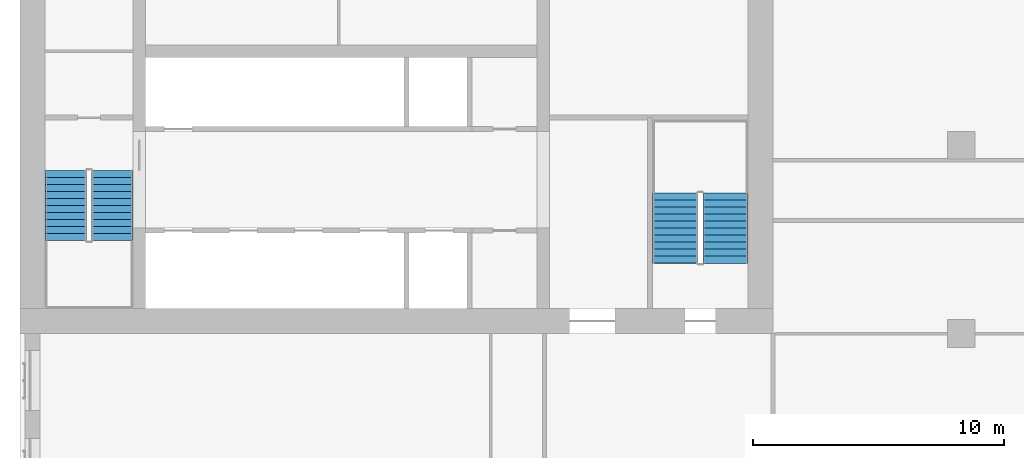
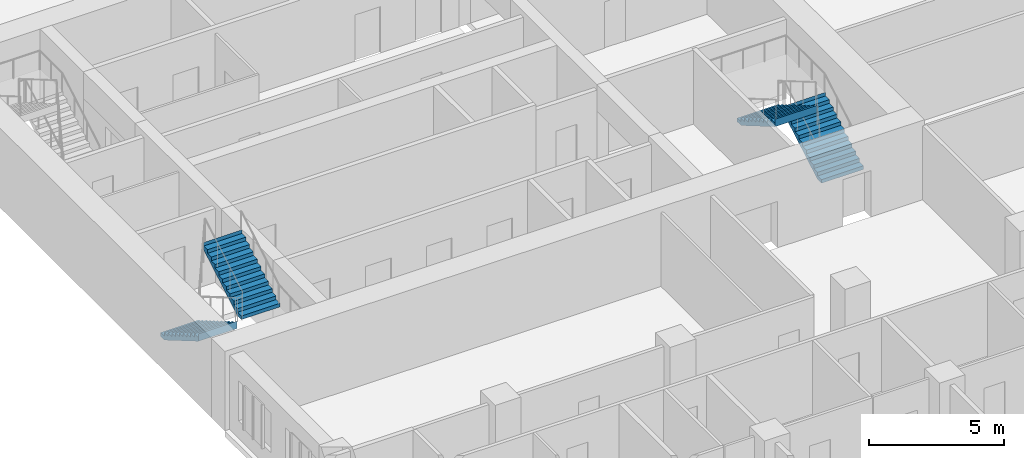
# One storey, part 12 of 14: 4 stair flights, 2 elements without a shape of their own.
"""IFC4 building model written with IfcOpenShell, lengths in metres."""

from ifc_helpers import new_model, si_unit, direction, frame, origin, place, context, subcontext, project, spatial, polyline, outline, extrude, material, type_object, element, aggregate, save


model = new_model("IFC4")

# Units and contexts
model_context = context("Model", 3, precision=1e-05, world=origin(), true_north=direction((0.0, 1.0)))
body_context = subcontext(model_context, "Body", "Model", "MODEL_VIEW")
ifc_project = project(units=[si_unit("LENGTHUNIT", "METRE"), si_unit("AREAUNIT", "SQUARE_METRE"), si_unit("VOLUMEUNIT", "CUBIC_METRE"), si_unit("PLANEANGLEUNIT", "RADIAN"), si_unit("MASSUNIT", "GRAM", prefix="KILO")], contexts=[model_context])

# Site, building, storey
site_placement = place(None, origin())
site = spatial("IfcSite", under=ifc_project, at=site_placement, CompositionType="ELEMENT")
building_placement = place(site_placement, origin())
building = spatial("IfcBuilding", under=site, at=building_placement, Name="Tamorin Gate", CompositionType="ELEMENT")
storey_placement = place(building_placement, frame((0.0, 0.0, 100.699951171875)))
storey = spatial("IfcBuildingStorey", under=building, at=storey_placement, Name="L24", CompositionType="ELEMENT", Elevation=100.699951171875)

# Stair, stair flights
ifc_material = material(Name="Concrete C40/50", Category="concrete")
stair_type = type_object("IfcStairType", Name="Exit stair", PredefinedType="HALF_TURN_STAIR", material=ifc_material)
stair_1_placement = place(storey_placement, origin())
stair_1 = element("IfcStair", 1, at=stair_1_placement, inside=storey, type_object=stair_type, Name="L24 stair ST1", PredefinedType="HALF_TURN_STAIR")
stair_flight_type = type_object("IfcStairFlightType", Name="Exit stair flight", PredefinedType="STRAIGHT", material=ifc_material)
stair_flight_1_placement = place(storey_placement, frame((31.824951171875, 66.5, 0.0), z_axis=(0.0, 0.0, 1.0), x_axis=(0.0, -1.0, 0.0)))
stair_flight_1 = element("IfcStairFlight", 2, at=stair_flight_1_placement, type_object=stair_flight_type, Name="ST1 flight 1", NumberOfRisers=11, NumberOfTreads=10, PredefinedType="STRAIGHT", RiserHeight=0.163636364, TreadLength=0.28, context=body_context, shape_type="SweptSolid", body=[
    extrude(outline(polyline([(-0.00048828125, 0.0), (-0.00048828125, 0.001708984375), (-0.00048828125, 0.003173828125), (-0.00048828125, 0.0048828125), (-0.00048828125, 0.006591796875), (-0.00048828125, 0.008056640625), (-0.00048828125, 0.009765625), (-0.00048828125, 0.01123046875), (-0.00048828125, 0.012939453125), (-0.00048828125, 0.0146484375), (-0.00048828125, 0.01611328125), (-0.00048828125, 0.017822265625), (-0.00048828125, 0.01953125), (-0.00048828125, 0.02099609375), (-0.00048828125, 0.022705078125), (-0.00048828125, 0.0244140625), (-0.00048828125, 0.02587890625), (-0.00048828125, 0.027587890625), (-0.00048828125, 0.029052734375), (-0.00048828125, 0.03076171875), (-0.00048828125, 0.032470703125), (-0.00048828125, 0.033935546875), (-0.00048828125, 0.03564453125), (-0.00048828125, 0.037353515625), (-0.00048828125, 0.038818359375), (-0.00048828125, 0.04052734375), (-0.00048828125, 0.042236328125), (-0.00048828125, 0.043701171875), (-0.00048828125, 0.04541015625), (-0.00048828125, 0.046875), (-0.00048828125, 0.048583984375), (-0.00048828125, 0.05029296875), (-0.00048828125, 0.0517578125), (-0.00048828125, 0.053466796875), (-0.00048828125, 0.05517578125), (-0.00048828125, 0.056640625), (-0.00048828125, 0.058349609375), (-0.00048828125, 0.06005859375), (-0.00048828125, 0.0615234375), (-0.00048828125, 0.063232421875), (-0.00048828125, 0.064697265625), (-0.00048828125, 0.06640625), (-0.00048828125, 0.068115234375), (-0.00048828125, 0.069580078125), (-0.00048828125, 0.0712890625), (-0.00048828125, 0.072998046875), (-0.00048828125, 0.074462890625), (-0.00048828125, 0.076171875), (-0.00048828125, 0.077880859375), (-0.00048828125, 0.079345703125), (-0.00048828125, 0.0810546875), (-0.00048828125, 0.08251953125), (-0.00048828125, 0.084228515625), (-0.00048828125, 0.0859375), (-0.00048828125, 0.08740234375), (-0.00048828125, 0.089111328125), (-0.00048828125, 0.0908203125), (-0.00048828125, 0.09228515625), (-0.00048828125, 0.093994140625), (-0.00048828125, 0.095703125), (-0.00048828125, 0.09716796875), (-0.00048828125, 0.098876953125), (-0.00048828125, 0.100341796875), (-0.00048828125, 0.10205078125), (-0.00048828125, 0.103759765625), (-0.00048828125, 0.105224609375), (-0.00048828125, 0.10693359375), (-0.00048828125, 0.108642578125), (-0.00048828125, 0.110107421875), (-0.00048828125, 0.11181640625), (-0.00048828125, 0.113525390625), (-0.00048828125, 0.114990234375), (-0.00048828125, 0.11669921875), (-0.00048828125, 0.1181640625), (-0.00048828125, 0.119873046875), (-0.00048828125, 0.12158203125), (-0.00048828125, 0.123046875), (-0.00048828125, 0.124755859375), (-0.00048828125, 0.12646484375), (-0.00048828125, 0.1279296875), (-0.00048828125, 0.129638671875), (-0.00048828125, 0.13134765625), (-0.00048828125, 0.1328125), (-0.00048828125, 0.134521484375), (-0.00048828125, 0.135986328125), (-0.00048828125, 0.1376953125), (-0.00048828125, 0.139404296875), (-0.00048828125, 0.140869140625), (-0.00048828125, 0.142578125), (-0.00048828125, 0.144287109375), (-0.00048828125, 0.145751953125), (-0.00048828125, 0.1474609375), (-0.00048828125, 0.149169921875), (-0.00048828125, 0.150634765625), (-0.00048828125, 0.15234375), (-0.00048828125, 0.15380859375), (-0.00048828125, 0.155517578125), (-0.00048828125, 0.1572265625), (-0.00048828125, 0.15869140625), (-0.00048828125, 0.160400390625), (-0.00048828125, 0.162109375), (-0.00048828125, 0.16357421875), (0.280029296875, 0.16357421875), (0.280029296875, 0.327392578125), (0.56005859375, 0.327392578125), (0.56005859375, 0.490966796875), (0.840087890625, 0.490966796875), (0.840087890625, 0.654541015625), (1.1201171875, 0.654541015625), (1.1201171875, 0.818115234375), (1.39990234375, 0.818115234375), (1.39990234375, 0.98193359375), (1.679931640625, 0.98193359375), (1.679931640625, 1.1455078125), (1.9599609375, 1.1455078125), (1.9599609375, 1.30908203125), (2.239990234375, 1.30908203125), (2.239990234375, 1.47265625), (2.52001953125, 1.47265625), (2.52001953125, 1.636474609375), (2.800048828125, 1.636474609375), (2.800048828125, 1.800048828125), (2.800537109375, 1.800048828125), (2.800537109375, 1.796630859375), (2.800537109375, 1.793212890625), (2.800537109375, 1.7900390625), (2.800537109375, 1.78662109375), (2.800537109375, 1.783203125), (2.800537109375, 1.780029296875), (2.800537109375, 1.776611328125), (2.800537109375, 1.773193359375), (2.800537109375, 1.77001953125), (2.800537109375, 1.7666015625), (2.800537109375, 1.76318359375), (2.800537109375, 1.760009765625), (2.800537109375, 1.756591796875), (2.800537109375, 1.753173828125), (2.800537109375, 1.75), (2.800537109375, 1.74658203125), (2.800537109375, 1.7431640625), (2.800537109375, 1.739990234375), (2.800537109375, 1.736572265625), (2.800537109375, 1.733154296875), (2.800537109375, 1.72998046875), (2.800537109375, 1.7265625), (2.800537109375, 1.72314453125), (2.800537109375, 1.719970703125), (2.800537109375, 1.716552734375), (2.800537109375, 1.713134765625), (2.800537109375, 1.7099609375), (2.800537109375, 1.70654296875), (2.800537109375, 1.703125), (2.800537109375, 1.69970703125), (2.800537109375, 1.696533203125), (2.800537109375, 1.693115234375), (2.800537109375, 1.689697265625), (2.800537109375, 1.6865234375), (2.800537109375, 1.68310546875), (2.800537109375, 1.6796875), (2.800537109375, 1.676513671875), (2.800537109375, 1.673095703125), (2.800537109375, 1.669677734375), (2.800537109375, 1.66650390625), (2.800537109375, 1.6630859375), (2.800537109375, 1.65966796875), (2.800537109375, 1.656494140625), (2.800537109375, 1.653076171875), (2.800537109375, 1.649658203125), (2.800537109375, 1.646484375), (2.800537109375, 1.64306640625), (2.800537109375, 1.6396484375), (2.800537109375, 1.636474609375), (2.800537109375, 1.633056640625), (2.800537109375, 1.629638671875), (2.800537109375, 1.62646484375), (2.800537109375, 1.623046875), (2.800537109375, 1.61962890625), (2.800537109375, 1.616455078125), (2.800537109375, 1.613037109375), (2.800537109375, 1.609619140625), (2.800537109375, 1.6064453125), (2.800537109375, 1.60302734375), (2.800537109375, 1.599609375), (2.800537109375, 1.59619140625), (2.800537109375, 1.593017578125), (2.800537109375, 1.589599609375), (2.800537109375, 1.586181640625), (2.800537109375, 1.5830078125), (2.800537109375, 1.57958984375), (2.800537109375, 1.576171875), (2.800537109375, 1.572998046875), (2.800537109375, 1.569580078125), (2.800537109375, 1.566162109375), (2.800537109375, 1.56298828125), (2.800537109375, 1.5595703125), (2.800537109375, 1.55615234375), (2.800537109375, 1.552978515625), (2.800537109375, 1.549560546875), (2.800537109375, 1.546142578125), (2.800537109375, 1.54296875), (2.800537109375, 1.53955078125), (2.800537109375, 1.5361328125), (2.800537109375, 1.532958984375), (2.800537109375, 1.529541015625), (2.800537109375, 1.526123046875), (2.800537109375, 1.52294921875), (2.800537109375, 1.51953125), (2.800537109375, 1.51611328125), (2.800537109375, 1.512939453125), (2.800537109375, 1.509521484375), (2.800537109375, 1.506103515625), (2.800537109375, 1.5029296875), (2.800537109375, 1.49951171875), (2.800537109375, 1.49609375), (2.800537109375, 1.49267578125), (2.800537109375, 1.489501953125), (2.800537109375, 1.486083984375), (2.800537109375, 1.482666015625), (2.800537109375, 1.4794921875), (2.800537109375, 1.47607421875), (2.800537109375, 1.47265625), (2.800537109375, 1.469482421875), (2.800537109375, 1.466064453125), (2.800537109375, 1.462646484375), (2.800048828125, 1.462646484375), (0.297119140625, 0.0), (-0.00048828125, 0.0)])), frame((0.0, 0.824951171875, 0.0), z_axis=(0.0, -1.0, 0.0), x_axis=(1.0, 0.0, 0.0)), (0.0, 0.0, 1.0), 1.64990234375),
])
stair_flight_2_placement = place(storey_placement, frame((33.675048828125, 63.699951171875, 1.800048828125), z_axis=(0.0, 0.0, 1.0), x_axis=(0.0, 1.0, 0.0)))
stair_flight_2 = element("IfcStairFlight", 3, at=stair_flight_2_placement, type_object=stair_flight_type, Name="ST1 flight 2", NumberOfRisers=11, NumberOfTreads=10, PredefinedType="STRAIGHT", RiserHeight=0.163636364, TreadLength=0.28, context=body_context, shape_type="SweptSolid", body=[
    extrude(outline(polyline([(-0.00048828125, 0.0), (-0.00048828125, 0.001708984375), (-0.00048828125, 0.003173828125), (-0.00048828125, 0.0048828125), (-0.00048828125, 0.006591796875), (-0.00048828125, 0.008056640625), (-0.00048828125, 0.009765625), (-0.00048828125, 0.01123046875), (-0.00048828125, 0.012939453125), (-0.00048828125, 0.0146484375), (-0.00048828125, 0.01611328125), (-0.00048828125, 0.017822265625), (-0.00048828125, 0.01953125), (-0.00048828125, 0.02099609375), (-0.00048828125, 0.022705078125), (-0.00048828125, 0.0244140625), (-0.00048828125, 0.02587890625), (-0.00048828125, 0.027587890625), (-0.00048828125, 0.029052734375), (-0.00048828125, 0.03076171875), (-0.00048828125, 0.032470703125), (-0.00048828125, 0.033935546875), (-0.00048828125, 0.03564453125), (-0.00048828125, 0.037353515625), (-0.00048828125, 0.038818359375), (-0.00048828125, 0.04052734375), (-0.00048828125, 0.042236328125), (-0.00048828125, 0.043701171875), (-0.00048828125, 0.04541015625), (-0.00048828125, 0.046875), (-0.00048828125, 0.048583984375), (-0.00048828125, 0.05029296875), (-0.00048828125, 0.0517578125), (-0.00048828125, 0.053466796875), (-0.00048828125, 0.05517578125), (-0.00048828125, 0.056640625), (-0.00048828125, 0.058349609375), (-0.00048828125, 0.06005859375), (-0.00048828125, 0.0615234375), (-0.00048828125, 0.063232421875), (-0.00048828125, 0.064697265625), (-0.00048828125, 0.06640625), (-0.00048828125, 0.068115234375), (-0.00048828125, 0.069580078125), (-0.00048828125, 0.0712890625), (-0.00048828125, 0.072998046875), (-0.00048828125, 0.074462890625), (-0.00048828125, 0.076171875), (-0.00048828125, 0.077880859375), (-0.00048828125, 0.079345703125), (-0.00048828125, 0.0810546875), (-0.00048828125, 0.08251953125), (-0.00048828125, 0.084228515625), (-0.00048828125, 0.0859375), (-0.00048828125, 0.08740234375), (-0.00048828125, 0.089111328125), (-0.00048828125, 0.0908203125), (-0.00048828125, 0.09228515625), (-0.00048828125, 0.093994140625), (-0.00048828125, 0.095703125), (-0.00048828125, 0.09716796875), (-0.00048828125, 0.098876953125), (-0.00048828125, 0.100341796875), (-0.00048828125, 0.10205078125), (-0.00048828125, 0.103759765625), (-0.00048828125, 0.105224609375), (-0.00048828125, 0.10693359375), (-0.00048828125, 0.108642578125), (-0.00048828125, 0.110107421875), (-0.00048828125, 0.11181640625), (-0.00048828125, 0.113525390625), (-0.00048828125, 0.114990234375), (-0.00048828125, 0.11669921875), (-0.00048828125, 0.1181640625), (-0.00048828125, 0.119873046875), (-0.00048828125, 0.12158203125), (-0.00048828125, 0.123046875), (-0.00048828125, 0.124755859375), (-0.00048828125, 0.12646484375), (-0.00048828125, 0.1279296875), (-0.00048828125, 0.129638671875), (-0.00048828125, 0.13134765625), (-0.00048828125, 0.1328125), (-0.00048828125, 0.134521484375), (-0.00048828125, 0.135986328125), (-0.00048828125, 0.1376953125), (-0.00048828125, 0.139404296875), (-0.00048828125, 0.140869140625), (-0.00048828125, 0.142578125), (-0.00048828125, 0.144287109375), (-0.00048828125, 0.145751953125), (-0.00048828125, 0.1474609375), (-0.00048828125, 0.149169921875), (-0.00048828125, 0.150634765625), (-0.00048828125, 0.15234375), (-0.00048828125, 0.15380859375), (-0.00048828125, 0.155517578125), (-0.00048828125, 0.1572265625), (-0.00048828125, 0.15869140625), (-0.00048828125, 0.160400390625), (-0.00048828125, 0.162109375), (-0.00048828125, 0.16357421875), (0.280029296875, 0.16357421875), (0.280029296875, 0.327392578125), (0.56005859375, 0.327392578125), (0.56005859375, 0.490966796875), (0.840087890625, 0.490966796875), (0.840087890625, 0.654541015625), (1.1201171875, 0.654541015625), (1.1201171875, 0.818115234375), (1.39990234375, 0.818115234375), (1.39990234375, 0.98193359375), (1.679931640625, 0.98193359375), (1.679931640625, 1.1455078125), (1.9599609375, 1.1455078125), (1.9599609375, 1.30908203125), (2.239990234375, 1.30908203125), (2.239990234375, 1.47265625), (2.52001953125, 1.47265625), (2.52001953125, 1.636474609375), (2.800048828125, 1.636474609375), (2.800048828125, 1.800048828125), (2.800537109375, 1.800048828125), (2.800537109375, 1.796630859375), (2.800537109375, 1.793212890625), (2.800537109375, 1.7900390625), (2.800537109375, 1.78662109375), (2.800537109375, 1.783203125), (2.800537109375, 1.780029296875), (2.800537109375, 1.776611328125), (2.800537109375, 1.773193359375), (2.800537109375, 1.77001953125), (2.800537109375, 1.7666015625), (2.800537109375, 1.76318359375), (2.800537109375, 1.760009765625), (2.800537109375, 1.756591796875), (2.800537109375, 1.753173828125), (2.800537109375, 1.75), (2.800537109375, 1.74658203125), (2.800537109375, 1.7431640625), (2.800537109375, 1.739990234375), (2.800537109375, 1.736572265625), (2.800537109375, 1.733154296875), (2.800537109375, 1.72998046875), (2.800537109375, 1.7265625), (2.800537109375, 1.72314453125), (2.800537109375, 1.719970703125), (2.800537109375, 1.716552734375), (2.800537109375, 1.713134765625), (2.800537109375, 1.7099609375), (2.800537109375, 1.70654296875), (2.800537109375, 1.703125), (2.800537109375, 1.69970703125), (2.800537109375, 1.696533203125), (2.800537109375, 1.693115234375), (2.800537109375, 1.689697265625), (2.800537109375, 1.6865234375), (2.800537109375, 1.68310546875), (2.800537109375, 1.6796875), (2.800537109375, 1.676513671875), (2.800537109375, 1.673095703125), (2.800537109375, 1.669677734375), (2.800537109375, 1.66650390625), (2.800537109375, 1.6630859375), (2.800537109375, 1.65966796875), (2.800537109375, 1.656494140625), (2.800537109375, 1.653076171875), (2.800537109375, 1.649658203125), (2.800537109375, 1.646484375), (2.800537109375, 1.64306640625), (2.800537109375, 1.6396484375), (2.800537109375, 1.636474609375), (2.800537109375, 1.633056640625), (2.800537109375, 1.629638671875), (2.800537109375, 1.62646484375), (2.800537109375, 1.623046875), (2.800537109375, 1.61962890625), (2.800537109375, 1.616455078125), (2.800537109375, 1.613037109375), (2.800537109375, 1.609619140625), (2.800537109375, 1.6064453125), (2.800537109375, 1.60302734375), (2.800537109375, 1.599609375), (2.800537109375, 1.59619140625), (2.800537109375, 1.593017578125), (2.800537109375, 1.589599609375), (2.800537109375, 1.586181640625), (2.800537109375, 1.5830078125), (2.800537109375, 1.57958984375), (2.800537109375, 1.576171875), (2.800537109375, 1.572998046875), (2.800537109375, 1.569580078125), (2.800537109375, 1.566162109375), (2.800537109375, 1.56298828125), (2.800537109375, 1.5595703125), (2.800537109375, 1.55615234375), (2.800537109375, 1.552978515625), (2.800537109375, 1.549560546875), (2.800537109375, 1.546142578125), (2.800537109375, 1.54296875), (2.800537109375, 1.53955078125), (2.800537109375, 1.5361328125), (2.800537109375, 1.532958984375), (2.800537109375, 1.529541015625), (2.800537109375, 1.526123046875), (2.800537109375, 1.52294921875), (2.800537109375, 1.51953125), (2.800537109375, 1.51611328125), (2.800537109375, 1.512939453125), (2.800537109375, 1.509521484375), (2.800537109375, 1.506103515625), (2.800537109375, 1.5029296875), (2.800537109375, 1.49951171875), (2.800537109375, 1.49609375), (2.800537109375, 1.49267578125), (2.800537109375, 1.489501953125), (2.800537109375, 1.486083984375), (2.800537109375, 1.482666015625), (2.800537109375, 1.4794921875), (2.800537109375, 1.47607421875), (2.800537109375, 1.47265625), (2.800537109375, 1.469482421875), (2.800537109375, 1.466064453125), (2.800537109375, 1.462646484375), (2.800048828125, 1.462646484375), (0.297119140625, 0.0), (-0.00048828125, 0.0)])), frame((0.0, 0.824951171875, 0.0), z_axis=(0.0, -1.0, 0.0), x_axis=(1.0, 0.0, 0.0)), (0.0, 0.0, 1.0), 1.64990234375),
])
aggregate(stair_1, [stair_flight_1, stair_flight_2])

stair_2_placement = place(storey_placement, origin())
stair_2 = element("IfcStair", 4, at=stair_2_placement, inside=storey, type_object=stair_type, Name="L24 stair ST3", PredefinedType="HALF_TURN_STAIR")
stair_flight_3_placement = place(storey_placement, frame((58.10009765625, 62.800048828125, 0.0), z_axis=(0.0, 0.0, 1.0), x_axis=(0.0, 1.0, 0.0)))
stair_flight_3 = element("IfcStairFlight", 5, at=stair_flight_3_placement, type_object=stair_flight_type, Name="ST3 flight 1", NumberOfRisers=11, NumberOfTreads=10, PredefinedType="STRAIGHT", RiserHeight=0.163636364, TreadLength=0.28, context=body_context, shape_type="SweptSolid", body=[
    extrude(outline(polyline([(-0.00048828125, 0.0), (-0.00048828125, 0.001708984375), (-0.00048828125, 0.003173828125), (-0.00048828125, 0.0048828125), (-0.00048828125, 0.006591796875), (-0.00048828125, 0.008056640625), (-0.00048828125, 0.009765625), (-0.00048828125, 0.01123046875), (-0.00048828125, 0.012939453125), (-0.00048828125, 0.0146484375), (-0.00048828125, 0.01611328125), (-0.00048828125, 0.017822265625), (-0.00048828125, 0.01953125), (-0.00048828125, 0.02099609375), (-0.00048828125, 0.022705078125), (-0.00048828125, 0.0244140625), (-0.00048828125, 0.02587890625), (-0.00048828125, 0.027587890625), (-0.00048828125, 0.029052734375), (-0.00048828125, 0.03076171875), (-0.00048828125, 0.032470703125), (-0.00048828125, 0.033935546875), (-0.00048828125, 0.03564453125), (-0.00048828125, 0.037353515625), (-0.00048828125, 0.038818359375), (-0.00048828125, 0.04052734375), (-0.00048828125, 0.042236328125), (-0.00048828125, 0.043701171875), (-0.00048828125, 0.04541015625), (-0.00048828125, 0.046875), (-0.00048828125, 0.048583984375), (-0.00048828125, 0.05029296875), (-0.00048828125, 0.0517578125), (-0.00048828125, 0.053466796875), (-0.00048828125, 0.05517578125), (-0.00048828125, 0.056640625), (-0.00048828125, 0.058349609375), (-0.00048828125, 0.06005859375), (-0.00048828125, 0.0615234375), (-0.00048828125, 0.063232421875), (-0.00048828125, 0.064697265625), (-0.00048828125, 0.06640625), (-0.00048828125, 0.068115234375), (-0.00048828125, 0.069580078125), (-0.00048828125, 0.0712890625), (-0.00048828125, 0.072998046875), (-0.00048828125, 0.074462890625), (-0.00048828125, 0.076171875), (-0.00048828125, 0.077880859375), (-0.00048828125, 0.079345703125), (-0.00048828125, 0.0810546875), (-0.00048828125, 0.08251953125), (-0.00048828125, 0.084228515625), (-0.00048828125, 0.0859375), (-0.00048828125, 0.08740234375), (-0.00048828125, 0.089111328125), (-0.00048828125, 0.0908203125), (-0.00048828125, 0.09228515625), (-0.00048828125, 0.093994140625), (-0.00048828125, 0.095703125), (-0.00048828125, 0.09716796875), (-0.00048828125, 0.098876953125), (-0.00048828125, 0.100341796875), (-0.00048828125, 0.10205078125), (-0.00048828125, 0.103759765625), (-0.00048828125, 0.105224609375), (-0.00048828125, 0.10693359375), (-0.00048828125, 0.108642578125), (-0.00048828125, 0.110107421875), (-0.00048828125, 0.11181640625), (-0.00048828125, 0.113525390625), (-0.00048828125, 0.114990234375), (-0.00048828125, 0.11669921875), (-0.00048828125, 0.1181640625), (-0.00048828125, 0.119873046875), (-0.00048828125, 0.12158203125), (-0.00048828125, 0.123046875), (-0.00048828125, 0.124755859375), (-0.00048828125, 0.12646484375), (-0.00048828125, 0.1279296875), (-0.00048828125, 0.129638671875), (-0.00048828125, 0.13134765625), (-0.00048828125, 0.1328125), (-0.00048828125, 0.134521484375), (-0.00048828125, 0.135986328125), (-0.00048828125, 0.1376953125), (-0.00048828125, 0.139404296875), (-0.00048828125, 0.140869140625), (-0.00048828125, 0.142578125), (-0.00048828125, 0.144287109375), (-0.00048828125, 0.145751953125), (-0.00048828125, 0.1474609375), (-0.00048828125, 0.149169921875), (-0.00048828125, 0.150634765625), (-0.00048828125, 0.15234375), (-0.00048828125, 0.15380859375), (-0.00048828125, 0.155517578125), (-0.00048828125, 0.1572265625), (-0.00048828125, 0.15869140625), (-0.00048828125, 0.160400390625), (-0.00048828125, 0.162109375), (-0.00048828125, 0.16357421875), (0.280029296875, 0.16357421875), (0.280029296875, 0.327392578125), (0.56005859375, 0.327392578125), (0.56005859375, 0.490966796875), (0.840087890625, 0.490966796875), (0.840087890625, 0.654541015625), (1.1201171875, 0.654541015625), (1.1201171875, 0.818115234375), (1.39990234375, 0.818115234375), (1.39990234375, 0.98193359375), (1.679931640625, 0.98193359375), (1.679931640625, 1.1455078125), (1.9599609375, 1.1455078125), (1.9599609375, 1.30908203125), (2.239990234375, 1.30908203125), (2.239990234375, 1.47265625), (2.52001953125, 1.47265625), (2.52001953125, 1.636474609375), (2.800048828125, 1.636474609375), (2.800048828125, 1.800048828125), (2.800537109375, 1.800048828125), (2.800537109375, 1.796630859375), (2.800537109375, 1.793212890625), (2.800537109375, 1.7900390625), (2.800537109375, 1.78662109375), (2.800537109375, 1.783203125), (2.800537109375, 1.780029296875), (2.800537109375, 1.776611328125), (2.800537109375, 1.773193359375), (2.800537109375, 1.77001953125), (2.800537109375, 1.7666015625), (2.800537109375, 1.76318359375), (2.800537109375, 1.760009765625), (2.800537109375, 1.756591796875), (2.800537109375, 1.753173828125), (2.800537109375, 1.75), (2.800537109375, 1.74658203125), (2.800537109375, 1.7431640625), (2.800537109375, 1.739990234375), (2.800537109375, 1.736572265625), (2.800537109375, 1.733154296875), (2.800537109375, 1.72998046875), (2.800537109375, 1.7265625), (2.800537109375, 1.72314453125), (2.800537109375, 1.719970703125), (2.800537109375, 1.716552734375), (2.800537109375, 1.713134765625), (2.800537109375, 1.7099609375), (2.800537109375, 1.70654296875), (2.800537109375, 1.703125), (2.800537109375, 1.69970703125), (2.800537109375, 1.696533203125), (2.800537109375, 1.693115234375), (2.800537109375, 1.689697265625), (2.800537109375, 1.6865234375), (2.800537109375, 1.68310546875), (2.800537109375, 1.6796875), (2.800537109375, 1.676513671875), (2.800537109375, 1.673095703125), (2.800537109375, 1.669677734375), (2.800537109375, 1.66650390625), (2.800537109375, 1.6630859375), (2.800537109375, 1.65966796875), (2.800537109375, 1.656494140625), (2.800537109375, 1.653076171875), (2.800537109375, 1.649658203125), (2.800537109375, 1.646484375), (2.800537109375, 1.64306640625), (2.800537109375, 1.6396484375), (2.800537109375, 1.636474609375), (2.800537109375, 1.633056640625), (2.800537109375, 1.629638671875), (2.800537109375, 1.62646484375), (2.800537109375, 1.623046875), (2.800537109375, 1.61962890625), (2.800537109375, 1.616455078125), (2.800537109375, 1.613037109375), (2.800537109375, 1.609619140625), (2.800537109375, 1.6064453125), (2.800537109375, 1.60302734375), (2.800537109375, 1.599609375), (2.800537109375, 1.59619140625), (2.800537109375, 1.593017578125), (2.800537109375, 1.589599609375), (2.800537109375, 1.586181640625), (2.800537109375, 1.5830078125), (2.800537109375, 1.57958984375), (2.800537109375, 1.576171875), (2.800537109375, 1.572998046875), (2.800537109375, 1.569580078125), (2.800537109375, 1.566162109375), (2.800537109375, 1.56298828125), (2.800537109375, 1.5595703125), (2.800537109375, 1.55615234375), (2.800537109375, 1.552978515625), (2.800537109375, 1.549560546875), (2.800537109375, 1.546142578125), (2.800537109375, 1.54296875), (2.800537109375, 1.53955078125), (2.800537109375, 1.5361328125), (2.800537109375, 1.532958984375), (2.800537109375, 1.529541015625), (2.800537109375, 1.526123046875), (2.800537109375, 1.52294921875), (2.800537109375, 1.51953125), (2.800537109375, 1.51611328125), (2.800537109375, 1.512939453125), (2.800537109375, 1.509521484375), (2.800537109375, 1.506103515625), (2.800537109375, 1.5029296875), (2.800537109375, 1.49951171875), (2.800537109375, 1.49609375), (2.800537109375, 1.49267578125), (2.800537109375, 1.489501953125), (2.800537109375, 1.486083984375), (2.800537109375, 1.482666015625), (2.800537109375, 1.4794921875), (2.800537109375, 1.47607421875), (2.800537109375, 1.47265625), (2.800537109375, 1.469482421875), (2.800537109375, 1.466064453125), (2.800537109375, 1.462646484375), (2.800048828125, 1.462646484375), (0.297119140625, 0.0), (-0.00048828125, 0.0)])), frame((0.0, 0.89990234375, 0.0), z_axis=(0.0, -1.0, 0.0), x_axis=(1.0, 0.0, 0.0)), (0.0, 0.0, 1.0), 1.800048828125),
])
stair_flight_4_placement = place(storey_placement, frame((56.10009765625, 65.60009765625, 1.800048828125), z_axis=(0.0, 0.0, 1.0), x_axis=(0.0, -1.0, 0.0)))
stair_flight_4 = element("IfcStairFlight", 6, at=stair_flight_4_placement, type_object=stair_flight_type, Name="ST3 flight 2", NumberOfRisers=11, NumberOfTreads=10, PredefinedType="STRAIGHT", RiserHeight=0.163636364, TreadLength=0.28, context=body_context, shape_type="SweptSolid", body=[
    extrude(outline(polyline([(-0.00048828125, 0.0), (-0.00048828125, 0.001708984375), (-0.00048828125, 0.003173828125), (-0.00048828125, 0.0048828125), (-0.00048828125, 0.006591796875), (-0.00048828125, 0.008056640625), (-0.00048828125, 0.009765625), (-0.00048828125, 0.01123046875), (-0.00048828125, 0.012939453125), (-0.00048828125, 0.0146484375), (-0.00048828125, 0.01611328125), (-0.00048828125, 0.017822265625), (-0.00048828125, 0.01953125), (-0.00048828125, 0.02099609375), (-0.00048828125, 0.022705078125), (-0.00048828125, 0.0244140625), (-0.00048828125, 0.02587890625), (-0.00048828125, 0.027587890625), (-0.00048828125, 0.029052734375), (-0.00048828125, 0.03076171875), (-0.00048828125, 0.032470703125), (-0.00048828125, 0.033935546875), (-0.00048828125, 0.03564453125), (-0.00048828125, 0.037353515625), (-0.00048828125, 0.038818359375), (-0.00048828125, 0.04052734375), (-0.00048828125, 0.042236328125), (-0.00048828125, 0.043701171875), (-0.00048828125, 0.04541015625), (-0.00048828125, 0.046875), (-0.00048828125, 0.048583984375), (-0.00048828125, 0.05029296875), (-0.00048828125, 0.0517578125), (-0.00048828125, 0.053466796875), (-0.00048828125, 0.05517578125), (-0.00048828125, 0.056640625), (-0.00048828125, 0.058349609375), (-0.00048828125, 0.06005859375), (-0.00048828125, 0.0615234375), (-0.00048828125, 0.063232421875), (-0.00048828125, 0.064697265625), (-0.00048828125, 0.06640625), (-0.00048828125, 0.068115234375), (-0.00048828125, 0.069580078125), (-0.00048828125, 0.0712890625), (-0.00048828125, 0.072998046875), (-0.00048828125, 0.074462890625), (-0.00048828125, 0.076171875), (-0.00048828125, 0.077880859375), (-0.00048828125, 0.079345703125), (-0.00048828125, 0.0810546875), (-0.00048828125, 0.08251953125), (-0.00048828125, 0.084228515625), (-0.00048828125, 0.0859375), (-0.00048828125, 0.08740234375), (-0.00048828125, 0.089111328125), (-0.00048828125, 0.0908203125), (-0.00048828125, 0.09228515625), (-0.00048828125, 0.093994140625), (-0.00048828125, 0.095703125), (-0.00048828125, 0.09716796875), (-0.00048828125, 0.098876953125), (-0.00048828125, 0.100341796875), (-0.00048828125, 0.10205078125), (-0.00048828125, 0.103759765625), (-0.00048828125, 0.105224609375), (-0.00048828125, 0.10693359375), (-0.00048828125, 0.108642578125), (-0.00048828125, 0.110107421875), (-0.00048828125, 0.11181640625), (-0.00048828125, 0.113525390625), (-0.00048828125, 0.114990234375), (-0.00048828125, 0.11669921875), (-0.00048828125, 0.1181640625), (-0.00048828125, 0.119873046875), (-0.00048828125, 0.12158203125), (-0.00048828125, 0.123046875), (-0.00048828125, 0.124755859375), (-0.00048828125, 0.12646484375), (-0.00048828125, 0.1279296875), (-0.00048828125, 0.129638671875), (-0.00048828125, 0.13134765625), (-0.00048828125, 0.1328125), (-0.00048828125, 0.134521484375), (-0.00048828125, 0.135986328125), (-0.00048828125, 0.1376953125), (-0.00048828125, 0.139404296875), (-0.00048828125, 0.140869140625), (-0.00048828125, 0.142578125), (-0.00048828125, 0.144287109375), (-0.00048828125, 0.145751953125), (-0.00048828125, 0.1474609375), (-0.00048828125, 0.149169921875), (-0.00048828125, 0.150634765625), (-0.00048828125, 0.15234375), (-0.00048828125, 0.15380859375), (-0.00048828125, 0.155517578125), (-0.00048828125, 0.1572265625), (-0.00048828125, 0.15869140625), (-0.00048828125, 0.160400390625), (-0.00048828125, 0.162109375), (-0.00048828125, 0.16357421875), (0.280029296875, 0.16357421875), (0.280029296875, 0.327392578125), (0.56005859375, 0.327392578125), (0.56005859375, 0.490966796875), (0.840087890625, 0.490966796875), (0.840087890625, 0.654541015625), (1.1201171875, 0.654541015625), (1.1201171875, 0.818115234375), (1.39990234375, 0.818115234375), (1.39990234375, 0.98193359375), (1.679931640625, 0.98193359375), (1.679931640625, 1.1455078125), (1.9599609375, 1.1455078125), (1.9599609375, 1.30908203125), (2.239990234375, 1.30908203125), (2.239990234375, 1.47265625), (2.52001953125, 1.47265625), (2.52001953125, 1.636474609375), (2.800048828125, 1.636474609375), (2.800048828125, 1.800048828125), (2.800537109375, 1.800048828125), (2.800537109375, 1.796630859375), (2.800537109375, 1.793212890625), (2.800537109375, 1.7900390625), (2.800537109375, 1.78662109375), (2.800537109375, 1.783203125), (2.800537109375, 1.780029296875), (2.800537109375, 1.776611328125), (2.800537109375, 1.773193359375), (2.800537109375, 1.77001953125), (2.800537109375, 1.7666015625), (2.800537109375, 1.76318359375), (2.800537109375, 1.760009765625), (2.800537109375, 1.756591796875), (2.800537109375, 1.753173828125), (2.800537109375, 1.75), (2.800537109375, 1.74658203125), (2.800537109375, 1.7431640625), (2.800537109375, 1.739990234375), (2.800537109375, 1.736572265625), (2.800537109375, 1.733154296875), (2.800537109375, 1.72998046875), (2.800537109375, 1.7265625), (2.800537109375, 1.72314453125), (2.800537109375, 1.719970703125), (2.800537109375, 1.716552734375), (2.800537109375, 1.713134765625), (2.800537109375, 1.7099609375), (2.800537109375, 1.70654296875), (2.800537109375, 1.703125), (2.800537109375, 1.69970703125), (2.800537109375, 1.696533203125), (2.800537109375, 1.693115234375), (2.800537109375, 1.689697265625), (2.800537109375, 1.6865234375), (2.800537109375, 1.68310546875), (2.800537109375, 1.6796875), (2.800537109375, 1.676513671875), (2.800537109375, 1.673095703125), (2.800537109375, 1.669677734375), (2.800537109375, 1.66650390625), (2.800537109375, 1.6630859375), (2.800537109375, 1.65966796875), (2.800537109375, 1.656494140625), (2.800537109375, 1.653076171875), (2.800537109375, 1.649658203125), (2.800537109375, 1.646484375), (2.800537109375, 1.64306640625), (2.800537109375, 1.6396484375), (2.800537109375, 1.636474609375), (2.800537109375, 1.633056640625), (2.800537109375, 1.629638671875), (2.800537109375, 1.62646484375), (2.800537109375, 1.623046875), (2.800537109375, 1.61962890625), (2.800537109375, 1.616455078125), (2.800537109375, 1.613037109375), (2.800537109375, 1.609619140625), (2.800537109375, 1.6064453125), (2.800537109375, 1.60302734375), (2.800537109375, 1.599609375), (2.800537109375, 1.59619140625), (2.800537109375, 1.593017578125), (2.800537109375, 1.589599609375), (2.800537109375, 1.586181640625), (2.800537109375, 1.5830078125), (2.800537109375, 1.57958984375), (2.800537109375, 1.576171875), (2.800537109375, 1.572998046875), (2.800537109375, 1.569580078125), (2.800537109375, 1.566162109375), (2.800537109375, 1.56298828125), (2.800537109375, 1.5595703125), (2.800537109375, 1.55615234375), (2.800537109375, 1.552978515625), (2.800537109375, 1.549560546875), (2.800537109375, 1.546142578125), (2.800537109375, 1.54296875), (2.800537109375, 1.53955078125), (2.800537109375, 1.5361328125), (2.800537109375, 1.532958984375), (2.800537109375, 1.529541015625), (2.800537109375, 1.526123046875), (2.800537109375, 1.52294921875), (2.800537109375, 1.51953125), (2.800537109375, 1.51611328125), (2.800537109375, 1.512939453125), (2.800537109375, 1.509521484375), (2.800537109375, 1.506103515625), (2.800537109375, 1.5029296875), (2.800537109375, 1.49951171875), (2.800537109375, 1.49609375), (2.800537109375, 1.49267578125), (2.800537109375, 1.489501953125), (2.800537109375, 1.486083984375), (2.800537109375, 1.482666015625), (2.800537109375, 1.4794921875), (2.800537109375, 1.47607421875), (2.800537109375, 1.47265625), (2.800537109375, 1.469482421875), (2.800537109375, 1.466064453125), (2.800537109375, 1.462646484375), (2.800048828125, 1.462646484375), (0.297119140625, 0.0), (-0.00048828125, 0.0)])), frame((0.0, 0.89990234375, 0.0), z_axis=(0.0, -1.0, 0.0), x_axis=(1.0, 0.0, 0.0)), (0.0, 0.0, 1.0), 1.800048828125),
])
aggregate(stair_2, [stair_flight_3, stair_flight_4])

save(model, "model.ifc")
